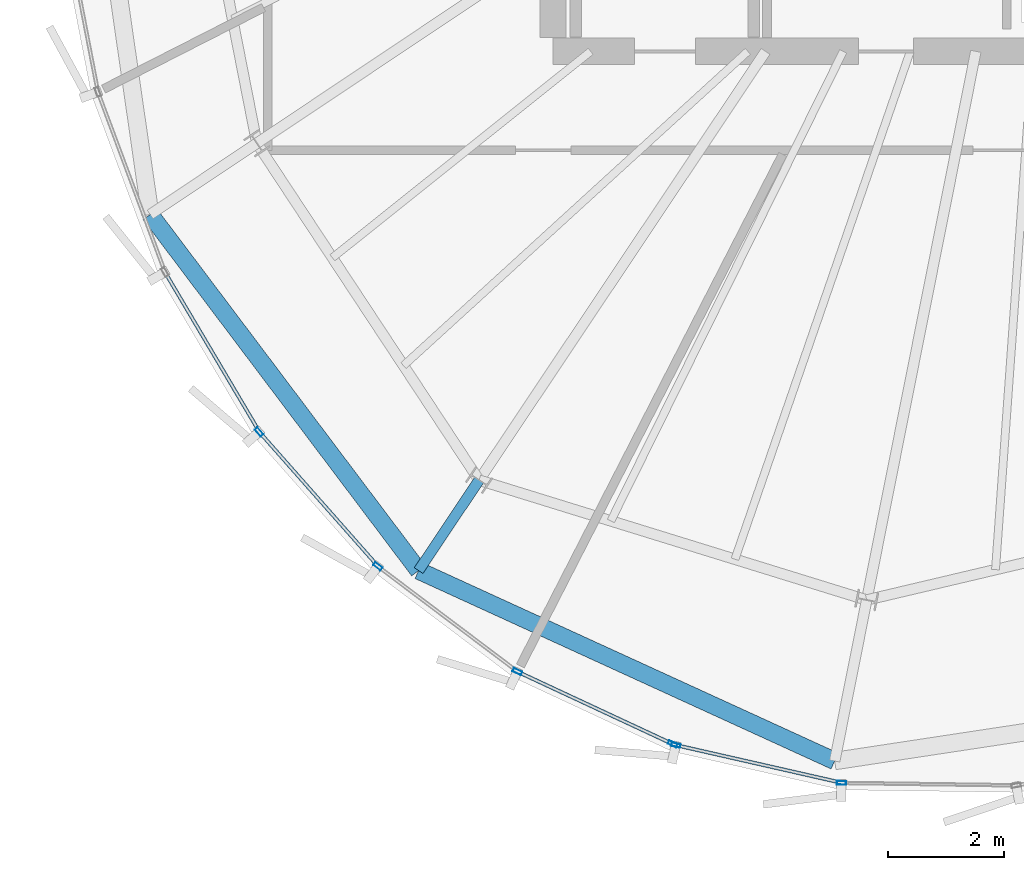
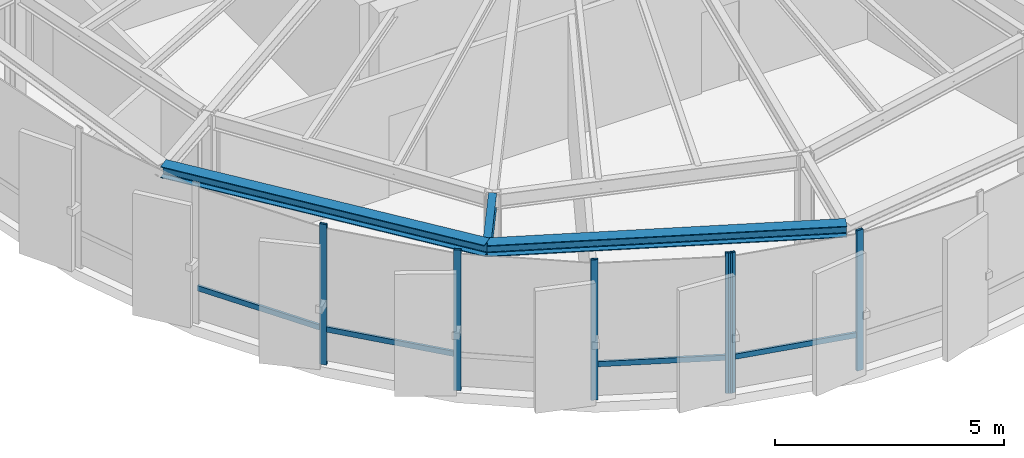
# One storey, part 2 of 26: 10 members, 3 beams, 2 elements without a shape of their own.
"""IFC4 building model written with IfcOpenShell, lengths in metres."""

from ifc_helpers import new_model, si_unit, direction, frame, origin, origin_2d, place, context, subcontext, project, spatial, hollow_rectangle, i_section, extrude, source, transform, mapped, material, layer, layer_set, material_profile, profile_set, type_object, element, aggregate, save


model = new_model("IFC4")

# Units and contexts
model_context = context("Model", 3, precision=1e-05, world=origin(), true_north=direction((0.0, 1.0)))
body_context = subcontext(model_context, "Body", "Model", "MODEL_VIEW")
ifc_project = project(units=[si_unit("LENGTHUNIT", "METRE"), si_unit("AREAUNIT", "SQUARE_METRE"), si_unit("VOLUMEUNIT", "CUBIC_METRE"), si_unit("PLANEANGLEUNIT", "RADIAN"), si_unit("MASSUNIT", "GRAM", prefix="KILO"), si_unit("THERMODYNAMICTEMPERATUREUNIT", "KELVIN")], contexts=[model_context])

# Site, building, storey
site_placement = place(None, origin())
site = spatial("IfcSite", under=ifc_project, at=site_placement, CompositionType="ELEMENT")
building_placement = place(site_placement, origin())
building = spatial("IfcBuilding", under=site, at=building_placement, Name="Kethvar Cultural Tower", CompositionType="ELEMENT")
storey_placement = place(building_placement, frame((0.0, 0.0, 320.300048828125)))
storey = spatial("IfcBuildingStorey", under=building, at=storey_placement, Name="L85", CompositionType="ELEMENT", Elevation=320.300048828125)

# Beams
ifc_material_1 = material(Name="Steel S355J2", Category="steel")
ifc_material_profile_1 = material_profile(ifc_material_1, i_section(OverallWidth=0.179931640625, OverallDepth=0.39990234375, WebThickness=0.008544921875, FlangeThickness=0.013427734375, FilletRadius=0.02099609375, at=origin_2d()), Name="Steel S355J2 — IPE400")
ifc_profile_set_1 = profile_set([ifc_material_profile_1], Name="Steel S355J2 — IPE400")
beam_type_1 = type_object("IfcBeamType", Name="BM-IPE400", PredefinedType="BEAM", material=ifc_profile_set_1)
shared_shape_1 = source(origin(), body_context, "Body", "SweptSolid", [
    extrude(i_section(OverallWidth=0.179931640625, OverallDepth=0.39990234375, WebThickness=0.008544921875, FlangeThickness=0.013427734375, FilletRadius=0.02099609375, at=origin_2d()), origin(), (0.0, 0.0, 1.0), 1.869384765625),
])
beam_1_placement = place(storey_placement, frame((36.731201171875, 12.73095703125, 3.532958984375), z_axis=(-0.555604074079, -0.831446999433, 0.0), x_axis=(0.831446999433, -0.555604074079, 0.0)))
element("IfcBeam", 1, at=beam_1_placement, inside=storey, type_object=beam_type_1, Name="L85 Perimeter Cantilever Beam RC-11", PredefinedType="BEAM", context=body_context, shape_type="MappedRepresentation", body=[
    mapped(shared_shape_1, transform((0.0, 0.0, 0.0), scale=1.0)),
])
ifc_material_profile_2 = material_profile(ifc_material_1, i_section(OverallWidth=0.300048828125, OverallDepth=0.300048828125, WebThickness=0.010986328125, FlangeThickness=0.01904296875, FilletRadius=0.027099609375, at=origin_2d()), Name="Steel S355J2 — HEB300")
ifc_profile_set_2 = profile_set([ifc_material_profile_2], Name="Steel S355J2 — HEB300")
beam_type_2 = type_object("IfcBeamType", Name="BM-SP300", PredefinedType="SPANDREL", material=ifc_profile_set_2)
shared_shape_2 = source(origin(), body_context, "Body", "SweptSolid", [
    extrude(i_section(OverallWidth=0.300048828125, OverallDepth=0.300048828125, WebThickness=0.010986328125, FlangeThickness=0.01904296875, FilletRadius=0.027099609375, at=origin_2d()), origin(), (0.0, 0.0, 1.0), 7.663330078125),
])
beam_2_placement = place(storey_placement, frame((31.080078125, 17.29638671875, 3.5830078125), z_axis=(0.601904715569, -0.798567914066, 0.0), x_axis=(0.798567914066, 0.601904715569, 0.0)))
element("IfcBeam", 2, at=beam_2_placement, inside=storey, type_object=beam_type_2, Name="L85 Perimeter Spandrel Beam SP-10", PredefinedType="SPANDREL", context=body_context, shape_type="MappedRepresentation", body=[
    mapped(shared_shape_2, transform((0.0, 0.0, 0.0), scale=1.0)),
])
shared_shape_3 = source(origin(), body_context, "Body", "SweptSolid", [
    extrude(i_section(OverallWidth=0.300048828125, OverallDepth=0.300048828125, WebThickness=0.010986328125, FlangeThickness=0.01904296875, FilletRadius=0.027099609375, at=origin_2d()), origin(), (0.0, 0.0, 1.0), 7.863037109375),
])
beam_3_placement = place(storey_placement, frame((35.692626953125, 11.1767578125, 3.5830078125), z_axis=(0.909296946729, -0.416147885577, 0.0), x_axis=(0.416147885577, 0.909296946729, 0.0)))
element("IfcBeam", 3, at=beam_3_placement, inside=storey, type_object=beam_type_2, Name="L85 Perimeter Spandrel Beam SP-11", PredefinedType="SPANDREL", context=body_context, shape_type="MappedRepresentation", body=[
    mapped(shared_shape_3, transform((0.0, 0.0, 0.0), scale=1.0)),
])

# Curtain wall, members
ifc_material_2 = material(Name="Aluminium 6063-T6", Category="aluminium")
ifc_layer = layer(ifc_material_2, 0.179931640625, Name="Aluminium 6063-T6", Category="aluminium")
ifc_layer_set = layer_set([ifc_layer], Name="Aluminium 6063-T6 (180 mm)")
curtain_wall_type = type_object("IfcCurtainWallType", Name="CW-SYS-06-CROWN", PredefinedType="NOTDEFINED", material=ifc_layer_set)
curtain_wall_1_placement = place(storey_placement, origin())
curtain_wall_1 = element("IfcCurtainWall", 4, at=curtain_wall_1_placement, inside=storey, type_object=curtain_wall_type, Name="L85 Curtain Wall Run 03", PredefinedType="NOTDEFINED")
ifc_material_profile_3 = material_profile(ifc_material_2, hollow_rectangle(XDim=0.06494140625, YDim=0.159912109375, WallThickness=0.0048828125, at=origin_2d()), Name="Aluminium 6063-T6 — RHS160x65x5")
ifc_profile_set_3 = profile_set([ifc_material_profile_3], Name="Aluminium 6063-T6 — RHS160x65x5")
member_type_1 = type_object("IfcMemberType", Name="CW-SYS-06-CROWN-MUL", PredefinedType="MULLION", material=ifc_profile_set_3)
shared_shape_4 = source(origin(), body_context, "Body", "SweptSolid", [
    extrude(hollow_rectangle(XDim=0.06494140625, YDim=0.159912109375, WallThickness=0.0048828125, at=origin_2d()), origin(), (0.0, 0.0, 1.0), 3.73486328125),
])
member_1_placement = place(storey_placement, frame((32.952880859375, 13.56201171875, 0.0), z_axis=(0.0, 0.0, 1.0), x_axis=(0.749325680809, 0.662201649108, 0.0)))
member_1 = element("IfcMember", 5, at=member_1_placement, type_object=member_type_1, Name="CW-L85-R03 Mullion 4", PredefinedType="MULLION", context=body_context, shape_type="MappedRepresentation", body=[
    mapped(shared_shape_4, transform((0.0, 0.0, 0.0), scale=1.0)),
])
member_2_placement = place(storey_placement, frame((34.992919921875, 11.25, 0.0), z_axis=(0.0, 0.0, 1.0), x_axis=(0.601842900424, 0.798614502253, 0.0)))
member_2 = element("IfcMember", 6, at=member_2_placement, type_object=member_type_1, Name="CW-L85-R03 Mullion 5", PredefinedType="MULLION", context=body_context, shape_type="MappedRepresentation", body=[
    mapped(shared_shape_4, transform((0.0, 0.0, 0.0), scale=1.0)),
])
member_3_placement = place(storey_placement, frame((37.389892578125, 9.4404296875, 0.0), z_axis=(0.0, 0.0, 1.0), x_axis=(0.422475894033, 0.906374160577, 0.0)))
member_3 = element("IfcMember", 7, at=member_3_placement, type_object=member_type_1, Name="CW-L85-R03 Mullion 6", PredefinedType="MULLION", context=body_context, shape_type="MappedRepresentation", body=[
    mapped(shared_shape_4, transform((0.0, 0.0, 0.0), scale=1.0)),
])
member_4_placement = place(storey_placement, frame((40.0576171875, 8.197021484375, 0.0), z_axis=(0.0, 0.0, 1.0), x_axis=(0.422475894033, 0.906374160577, 0.0)))
member_4 = element("IfcMember", 8, at=member_4_placement, type_object=member_type_1, Name="CW-L85-R03 Mullion 7", PredefinedType="MULLION", context=body_context, shape_type="MappedRepresentation", body=[
    mapped(shared_shape_4, transform((0.0, 0.0, 0.0), scale=1.0)),
])

curtain_wall_2_placement = place(storey_placement, origin())
curtain_wall_2 = element("IfcCurtainWall", 9, at=curtain_wall_2_placement, inside=storey, type_object=curtain_wall_type, Name="L85 Curtain Wall Run 04", PredefinedType="NOTDEFINED")
member_5_placement = place(storey_placement, frame((40.11279296875, 8.177978515625, 0.0), z_axis=(0.0, 0.0, 1.0), x_axis=(0.221684651995, 0.975118410794, 0.0)))
member_5 = element("IfcMember", 10, at=member_5_placement, type_object=member_type_1, Name="CW-L85-R04 Mullion 1", PredefinedType="MULLION", context=body_context, shape_type="MappedRepresentation", body=[
    mapped(shared_shape_4, transform((0.0, 0.0, 0.0), scale=1.0)),
])
member_6_placement = place(storey_placement, frame((42.9580078125, 7.528564453125, 0.0), z_axis=(0.0, 0.0, 1.0), x_axis=(0.013962180339, 0.999902524009, 0.0)))
member_6 = element("IfcMember", 11, at=member_6_placement, type_object=member_type_1, Name="CW-L85-R04 Mullion 2", PredefinedType="MULLION", context=body_context, shape_type="MappedRepresentation", body=[
    mapped(shared_shape_4, transform((0.0, 0.0, 0.0), scale=1.0)),
])

# Member
ifc_material_profile_4 = material_profile(ifc_material_2, hollow_rectangle(XDim=0.06005859375, YDim=0.139892578125, WallThickness=0.0048828125, at=origin_2d()), Name="Aluminium 6063-T6 — RHS140x60x5")
ifc_profile_set_4 = profile_set([ifc_material_profile_4], Name="Aluminium 6063-T6 — RHS140x60x5")
member_type_2 = type_object("IfcMemberType", Name="CW-SYS-06-CROWN-TRN", PredefinedType="USERDEFINED", material=ifc_profile_set_4)
shared_shape_5 = source(origin(), body_context, "Body", "SweptSolid", [
    extrude(hollow_rectangle(XDim=0.06005859375, YDim=0.139892578125, WallThickness=0.0048828125, at=origin_2d()), origin(), (0.0, 0.0, 1.0), 3.11669921875),
])
member_7_placement = place(storey_placement, frame((31.356201171875, 16.2666015625, 0.949951171875), z_axis=(0.509024870154, -0.860751811828, 0.0), x_axis=(0.860751811828, 0.509024870154, 0.0)))
member_7 = element("IfcMember", 12, at=member_7_placement, type_object=member_type_2, Name="CW-L85-R03 Transom 3", ObjectType="TRANSOM", PredefinedType="USERDEFINED", context=body_context, shape_type="MappedRepresentation", body=[
    mapped(shared_shape_5, transform((0.0, 0.0, 0.0), scale=1.0)),
])

shared_shape_6 = source(origin(), body_context, "Body", "SweptSolid", [
    extrude(hollow_rectangle(XDim=0.06005859375, YDim=0.139892578125, WallThickness=0.0048828125, at=origin_2d()), origin(), (0.0, 0.0, 1.0), 3.013427734375),
])
member_8_placement = place(storey_placement, frame((32.98388671875, 13.52685546875, 0.949951171875), z_axis=(0.662218954163, -0.749310387455, 0.0), x_axis=(0.749310387455, 0.662218954163, 0.0)))
member_8 = element("IfcMember", 13, at=member_8_placement, type_object=member_type_2, Name="CW-L85-R03 Transom 4", ObjectType="TRANSOM", PredefinedType="USERDEFINED", context=body_context, shape_type="MappedRepresentation", body=[
    mapped(shared_shape_6, transform((0.0, 0.0, 0.0), scale=1.0)),
])

shared_shape_7 = source(origin(), body_context, "Body", "SweptSolid", [
    extrude(hollow_rectangle(XDim=0.06005859375, YDim=0.139892578125, WallThickness=0.0048828125, at=origin_2d()), origin(), (0.0, 0.0, 1.0), 2.89208984375),
])
member_9_placement = place(storey_placement, frame((37.43212890625, 9.420654296875, 0.949951171875), z_axis=(0.906396534366, -0.422427890283, 0.0), x_axis=(0.422427890283, 0.906396534366, 0.0)))
member_9 = element("IfcMember", 14, at=member_9_placement, type_object=member_type_2, Name="CW-L85-R03 Transom 6", ObjectType="TRANSOM", PredefinedType="USERDEFINED", context=body_context, shape_type="MappedRepresentation", body=[
    mapped(shared_shape_7, transform((0.0, 0.0, 0.0), scale=1.0)),
])

aggregate(curtain_wall_1, [member_1, member_2, member_3, member_4, member_7, member_8, member_9])

member_10_placement = place(storey_placement, frame((40.1171875, 8.177001953125, 0.949951171875), z_axis=(0.975118756417, -0.221683131707, 0.0), x_axis=(0.221683131707, 0.975118756417, 0.0)))
member_10 = element("IfcMember", 15, at=member_10_placement, type_object=member_type_2, Name="CW-L85-R04 Transom 1", ObjectType="TRANSOM", PredefinedType="USERDEFINED", context=body_context, shape_type="MappedRepresentation", body=[
    mapped(shared_shape_7, transform((0.0, 0.0, 0.0), scale=1.0)),
])

aggregate(curtain_wall_2, [member_5, member_6, member_10])

save(model, "model.ifc")
